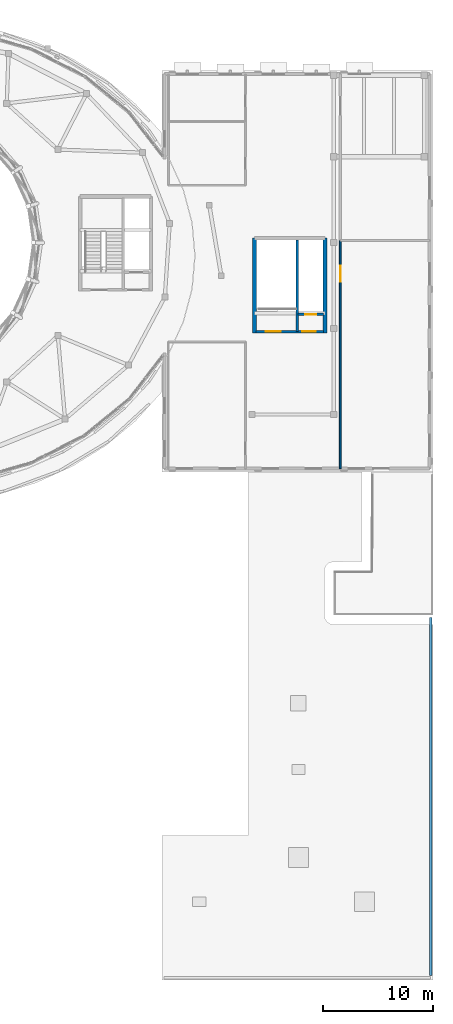
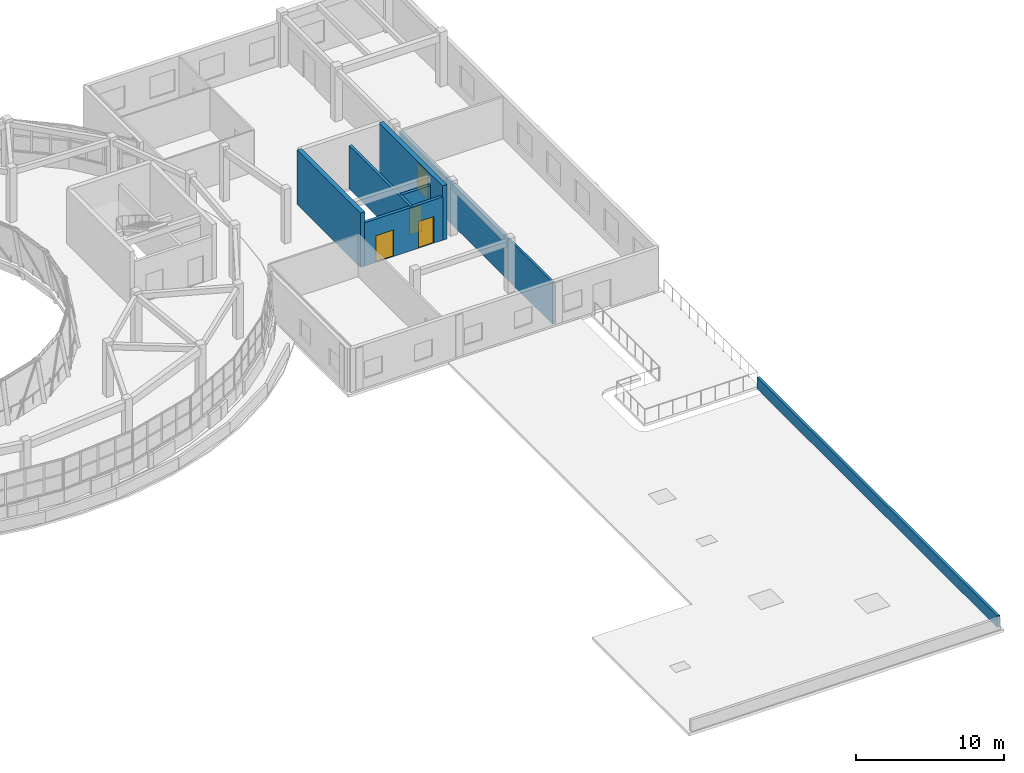
# One storey, part 36 of 46: 7 walls, 4 doors, 4 openings.
"""IFC4 building model written with IfcOpenShell, lengths in metres."""

import ifcopenshell
import ifcopenshell.guid

model = None  # the IFC model being written
_history = None  # IfcOwnerHistory: only IFC2X3 demands one
_inside = {}  # id of a spatial element -> (the spatial element, [elements in it])
_under = {}  # id of a project, library or spatial element -> (it, [spatial elements below it])
_declared = {}  # id of a project -> (the project, [libraries it declares])
_typed = {}  # id of a type object -> (the type object, [elements of that type])
_made_of = {}  # id of a material, layer set ... -> (it, [elements and type objects made of it])


def new_model(schema):
    """Start an empty IFC model of exactly this schema.

    Asked for "IFC4X3", IfcOpenShell would pick the latest addendum, in which some entities
    have other attributes; the version numbers below select the first issue.
    IFC2X3 requires an IfcOwnerHistory on every rooted entity: one is made here for all.
    """
    global model, _history
    if schema == "IFC4X3":
        model = ifcopenshell.file(schema_version=(4, 3, 0, 0))
    else:
        model = ifcopenshell.file(schema=schema)
    _inside.clear()
    _under.clear()
    _declared.clear()
    _typed.clear()
    _made_of.clear()
    _history = None
    if model.schema == "IFC2X3":
        org = make("IfcOrganization", Name="unknown")
        user = make(
            "IfcPersonAndOrganization",
            ThePerson=make("IfcPerson", FamilyName="unknown"),
            TheOrganization=org,
        )
        app = make(
            "IfcApplication",
            ApplicationDeveloper=org,
            Version="unknown",
            ApplicationFullName="unknown",
            ApplicationIdentifier="unknown",
        )
        _history = make(
            "IfcOwnerHistory",
            OwningUser=user,
            OwningApplication=app,
            ChangeAction="ADDED",
            CreationDate=0,
        )
    return model


def make(cls, **values):
    """One entity of the class cls with the attributes given. An attribute that is None is left unset."""
    return model.create_entity(
        cls, **{name: value for name, value in values.items() if value is not None}
    )


def rooted(cls, **values):
    """An entity with a GlobalId (a new one), such as an element, a storey or a relation."""
    return make(cls, GlobalId=ifcopenshell.guid.new(), OwnerHistory=_history, **values)


def si_unit(unit_type, name, prefix=None):
    """IfcSIUnit, for example si_unit("LENGTHUNIT", "METRE", prefix="MILLI")."""
    return make("IfcSIUnit", UnitType=unit_type, Prefix=prefix, Name=name)


def assignment(units):
    """IfcUnitAssignment: the units of a project."""
    return None if units is None else make("IfcUnitAssignment", Units=units)


def point(xyz):
    """IfcCartesianPoint."""
    return None if xyz is None else make("IfcCartesianPoint", Coordinates=xyz)


def direction(xyz):
    """IfcDirection."""
    return None if xyz is None else make("IfcDirection", DirectionRatios=xyz)


def frame(location, z_axis=None, x_axis=None):
    """IfcAxis2Placement3D, a coordinate frame: its origin and axes. An axis left out is left unset."""
    return make(
        "IfcAxis2Placement3D",
        Location=point(location),
        Axis=direction(z_axis),
        RefDirection=direction(x_axis),
    )


def frame_2d(location, x_axis=None):
    """IfcAxis2Placement2D, a coordinate frame in the plane: its origin and x axis."""
    return make(
        "IfcAxis2Placement2D", Location=point(location), RefDirection=direction(x_axis)
    )


def origin():
    """The frame at (0, 0, 0) with its axes left unset."""
    return frame((0.0, 0.0, 0.0))


def place(relative_to, where):
    """IfcLocalPlacement: puts the frame where relative to a parent placement (None: the world)."""
    return make(
        "IfcLocalPlacement", PlacementRelTo=relative_to, RelativePlacement=where
    )


def context(
    kind, dimensions, precision=None, world=None, true_north=None, identifier=None
):
    """IfcGeometricRepresentationContext, for example the 3D "Model" context."""
    return make(
        "IfcGeometricRepresentationContext",
        ContextIdentifier=identifier,
        ContextType=kind,
        CoordinateSpaceDimension=dimensions,
        Precision=precision,
        WorldCoordinateSystem=world,
        TrueNorth=true_north,
    )


def subcontext(parent, identifier, kind, view, scale=None):
    """IfcGeometricRepresentationSubContext, for example "Body" below "Model"."""
    return make(
        "IfcGeometricRepresentationSubContext",
        ContextIdentifier=identifier,
        ContextType=kind,
        ParentContext=parent,
        TargetScale=scale,
        TargetView=view,
    )


def project(units=None, contexts=None):
    """IfcProject with its units and contexts."""
    return rooted(
        "IfcProject",
        Name="project",
        RepresentationContexts=contexts,
        UnitsInContext=assignment(units),
    )


def spatial(cls, under=None, at=None, **own):
    """A site, building, storey or space (cls), placed at a placement, below another one or the project."""
    s = rooted(cls, ObjectPlacement=at, **own)
    if under is not None:
        _under.setdefault(under.id(), (under, []))[1].append(s)
    return s


def profile(cls, at=None, kind="AREA", **sizes):
    """A parametric profile (cls). Its sizes go by their IFC names, for example OverallWidth=200.0."""
    return make(cls, ProfileType=kind, Position=at, **sizes)


def rectangle(**sizes):
    """IfcRectangleProfileDef."""
    return profile("IfcRectangleProfileDef", **sizes)


def extrude(swept, where, along, depth):
    """IfcExtrudedAreaSolid: the profile swept, set in the frame where, extruded along a direction by depth."""
    return make(
        "IfcExtrudedAreaSolid",
        SweptArea=swept,
        Position=where,
        ExtrudedDirection=direction(along),
        Depth=depth,
    )


def shape(context_of_items, identifier, shape_type, items):
    """IfcShapeRepresentation: the items that make up one representation, for example the "Body"."""
    return make(
        "IfcShapeRepresentation",
        ContextOfItems=context_of_items,
        RepresentationIdentifier=identifier,
        RepresentationType=shape_type,
        Items=items,
    )


def material(Name=None, Category=None):
    """IfcMaterial."""
    return make("IfcMaterial", Name=Name, Category=Category)


def layer(
    of_material, thickness, ventilated=None, Name=None, Category=None, Priority=None
):
    """IfcMaterialLayer: one layer of a wall or slab, of a material (None: an air gap)."""
    return make(
        "IfcMaterialLayer",
        Material=of_material,
        LayerThickness=thickness,
        IsVentilated=ventilated,
        Name=Name,
        Category=Category,
        Priority=Priority,
    )


def layer_set(layers, Name=None):
    """IfcMaterialLayerSet."""
    return make("IfcMaterialLayerSet", MaterialLayers=layers, LayerSetName=Name)


def made_of(thing, what):
    """Note that an element or type object is made of a material, layer set ...; save() writes the relation."""
    if what is not None:
        _made_of.setdefault(what.id(), (what, []))[1].append(thing)
    return thing


def type_object(cls, material=None, **own):
    """A type object (cls), such as IfcWallType, which elements share."""
    return made_of(rooted(cls, **own), material)


def element(
    cls,
    number,
    at=None,
    inside=None,
    cuts=None,
    type_object=None,
    material=None,
    context=None,
    identifier="Body",
    shape_type=None,
    held_by="IfcProductDefinitionShape",
    body=None,
    shapes=None,
    **own,
):
    """One element of the class cls, such as IfcWall. Its Tag is "e" and its number.

    at: its placement. inside: the storey or other place that contains it. cuts: it is an
    opening in that element (IfcRelVoidsElement). A single representation is given by context,
    identifier, shape_type and body (its items); several are given by shapes. held_by: the class
    of the entity that holds the representations. save() writes the other relations.
    """
    e = rooted(cls, Tag="e%d" % number, ObjectPlacement=at, **own)
    if body is not None:
        shapes = [shape(context, identifier, shape_type, body)]
    if shapes is not None:
        e.Representation = make(held_by, Representations=shapes)
    if inside is not None:
        _inside.setdefault(inside.id(), (inside, []))[1].append(e)
    if cuts is not None:
        rooted(
            "IfcRelVoidsElement", RelatingBuildingElement=cuts, RelatedOpeningElement=e
        )
    if type_object is not None:
        _typed.setdefault(type_object.id(), (type_object, []))[1].append(e)
    return made_of(e, material)


def fill(opening, filler):
    """IfcRelFillsElement: the door or window that sits in an opening."""
    return rooted(
        "IfcRelFillsElement",
        RelatingOpeningElement=opening,
        RelatedBuildingElement=filler,
    )


def aggregate(whole, parts):
    """IfcRelAggregates: a whole, such as a stair, and the parts it consists of."""
    return rooted("IfcRelAggregates", RelatingObject=whole, RelatedObjects=parts)


def save(model, path):
    """Write the relations noted so far, then the file.

    IfcRelAggregates (storeys below a building ...), IfcRelContainedInSpatialStructure (elements
    in a storey), IfcRelDefinesByType, IfcRelAssociatesMaterial and IfcRelDeclares: one each for
    every whole, place, type object, material and project.
    """
    for whole, parts in _under.values():
        aggregate(whole, parts)
    for where, things in _inside.values():
        rooted(
            "IfcRelContainedInSpatialStructure",
            RelatedElements=things,
            RelatingStructure=where,
        )
    for kind, things in _typed.values():
        rooted("IfcRelDefinesByType", RelatedObjects=things, RelatingType=kind)
    for what, things in _made_of.values():
        rooted("IfcRelAssociatesMaterial", RelatedObjects=things, RelatingMaterial=what)
    for by, libraries in _declared.values():
        rooted("IfcRelDeclares", RelatingContext=by, RelatedDefinitions=libraries)
    model.write(path)


model = new_model("IFC4")

# Units and contexts
model_context = context("Model", 3, precision=1e-05, world=origin(), true_north=direction((0.0, 1.0)))
body_context = subcontext(model_context, "Body", "Model", "MODEL_VIEW")
ifc_project = project(units=[si_unit("LENGTHUNIT", "METRE"), si_unit("AREAUNIT", "SQUARE_METRE"), si_unit("VOLUMEUNIT", "CUBIC_METRE"), si_unit("PLANEANGLEUNIT", "RADIAN"), si_unit("MASSUNIT", "GRAM", prefix="KILO")], contexts=[model_context])

# Site, building, storey
site_placement = place(None, origin())
site = spatial("IfcSite", under=ifc_project, at=site_placement, CompositionType="ELEMENT")
building_placement = place(site_placement, origin())
building = spatial("IfcBuilding", under=site, at=building_placement, Name="Pelvatis Terrace Science Centre", CompositionType="ELEMENT")
storey_placement = place(building_placement, frame((0.0, 0.0, 19.800048828125)))
storey = spatial("IfcBuildingStorey", under=building, at=storey_placement, Name="L04", CompositionType="ELEMENT", Elevation=19.800048828125)

# Wall
ifc_material_1 = material(Name="Concrete C35/45 shaft dividing wall", Category="concrete")
ifc_layer_1 = layer(ifc_material_1, 0.2099609375)
ifc_layer_set_1 = layer_set([ifc_layer_1], Name="Concrete C35/45 shaft dividing wall")
wall_type_1 = type_object("IfcWallType", Name="WL-INT-CORE-210", PredefinedType="PARTITIONING", material=ifc_layer_set_1)
wall_1_placement = place(storey_placement, frame((144.89990234375, 77.75, 0.0), z_axis=(0.0, 0.0, 1.0), x_axis=(0.0, 1.0, 0.0)))
element("IfcWall", 1, at=wall_1_placement, inside=storey, type_object=wall_type_1, Name="Core C3 stair-lift shaft fire wall (L04)", PredefinedType="PARTITIONING", context=body_context, shape_type="SweptSolid", body=[
    extrude(rectangle(XDim=8.300048828125, YDim=0.2099609375, at=frame_2d((4.14990234375, 0.0))), origin(), (0.0, 0.0, 1.0), 3.570068359375),
])

# Wall, opening, door
ifc_material_2 = material(Name="Concrete C35/45 stair enclosure wall", Category="concrete")
ifc_layer_2 = layer(ifc_material_2, 0.22509765625)
ifc_layer_set_2 = layer_set([ifc_layer_2], Name="Concrete C35/45 stair enclosure wall")
wall_type_2 = type_object("IfcWallType", Name="WL-INT-CORE-225", PredefinedType="PARTITIONING", material=ifc_layer_set_2)
wall_2_placement = place(storey_placement, frame((144.949951171875, 79.300048828125, 0.0), z_axis=(0.0, 0.0, 1.0), x_axis=(1.0, 0.0, 0.0)))
wall_2 = element("IfcWall", 2, at=wall_2_placement, inside=storey, type_object=wall_type_2, Name="Core C3 lift shaft landing wall (L04)", PredefinedType="PARTITIONING", context=body_context, shape_type="SweptSolid", body=[
    extrude(rectangle(XDim=2.300048828125, YDim=0.22509765625, at=frame_2d((1.14990234375, 0.0))), origin(), (0.0, 0.0, 1.0), 3.570068359375),
])
opening_1_placement = place(wall_2_placement, frame((0.64990234375, 0.0, 0.0)))
opening_1 = element("IfcOpeningElement", 3, at=opening_1_placement, cuts=wall_2, Name="Opening LD-C3-6", PredefinedType="OPENING", context=body_context, shape_type="SweptSolid", body=[
    extrude(rectangle(XDim=1.0, YDim=2.14990234375, at=frame_2d((0.5, 1.074951171875))), frame((0.0, 0.12255859375, 0.0), z_axis=(0.0, -1.0, 0.0), x_axis=(1.0, 0.0, 0.0)), (0.0, 0.0, 1.0), 0.2451171875),
])
ifc_material_3 = material(Name="Bronze-clad sliding passenger lift landing door", Category="steel")
door_type_1 = type_object("IfcDoorType", Name="DR-LIFT-1000x2150", OperationType="NOTDEFINED", PredefinedType="DOOR", material=ifc_material_3)
door_1_placement = place(opening_1_placement, origin())
door_1 = element("IfcDoor", 4, at=door_1_placement, inside=storey, type_object=door_type_1, Name="Lift LF-05 sliding landing door (L04)", OperationType="SLIDING_TO_RIGHT", OverallHeight=2.14990234375, OverallWidth=1.0, PredefinedType="DOOR", context=body_context, shape_type="SweptSolid", body=[
    extrude(rectangle(XDim=1.0, YDim=2.14990234375, at=frame_2d((0.5, 1.074951171875))), frame((0.0, 0.02490234375, 0.0), z_axis=(0.0, -1.0, 0.0), x_axis=(1.0, 0.0, 0.0)), (0.0, 0.0, 1.0), 0.050048828125),
])
fill(opening_1, door_1)

# Wall, openings, doors
ifc_material_4 = material(Name="Concrete C35/45 shaft enclosure wall", Category="concrete")
ifc_layer_3 = layer(ifc_material_4, 0.239990234375)
ifc_layer_set_3 = layer_set([ifc_layer_3], Name="Concrete C35/45 shaft enclosure wall")
wall_type_3 = type_object("IfcWallType", Name="WL-INT-CORE-240", PredefinedType="PARTITIONING", material=ifc_layer_set_3)
wall_3_placement = place(storey_placement, frame((141.14990234375, 77.719970703125, 0.0), z_axis=(0.0, 0.0, 1.0), x_axis=(1.0, 0.0, 0.0)))
wall_3 = element("IfcWall", 5, at=wall_3_placement, inside=storey, type_object=wall_type_3, Name="Core C3 fire-rated lobby wall (L04)", PredefinedType="PARTITIONING", context=body_context, shape_type="SweptSolid", body=[
    extrude(rectangle(XDim=6.10009765625, YDim=0.239990234375, at=frame_2d((3.050048828125, 0.0))), origin(), (0.0, 0.0, 1.0), 3.570068359375),
])
opening_2_placement = place(wall_3_placement, frame((0.89990234375, 0.0, 0.0)))
opening_2 = element("IfcOpeningElement", 6, at=opening_2_placement, cuts=wall_3, Name="Opening D-139", PredefinedType="OPENING", context=body_context, shape_type="SweptSolid", body=[
    extrude(rectangle(XDim=1.35009765625, YDim=2.199951171875, at=frame_2d((0.675048828125, 1.10009765625))), frame((0.0, 0.1298828125, 0.0), z_axis=(0.0, -1.0, 0.0), x_axis=(1.0, 0.0, 0.0)), (0.0, 0.0, 1.0), 0.260009765625),
])
opening_3_placement = place(wall_3_placement, frame((4.199951171875, 0.0, 0.0)))
opening_3 = element("IfcOpeningElement", 7, at=opening_3_placement, cuts=wall_3, Name="Opening D-140", PredefinedType="OPENING", context=body_context, shape_type="SweptSolid", body=[
    extrude(rectangle(XDim=1.199951171875, YDim=2.199951171875, at=frame_2d((0.60009765625, 1.10009765625))), frame((0.0, 0.1298828125, 0.0), z_axis=(0.0, -1.0, 0.0), x_axis=(1.0, 0.0, 0.0)), (0.0, 0.0, 1.0), 0.260009765625),
])
ifc_material_5 = material(Name="Steel fire-rated exit stair door", Category="steel")
door_type_2 = type_object("IfcDoorType", Name="DR-STAIR-1200x2200", OperationType="NOTDEFINED", PredefinedType="DOOR", material=ifc_material_5)
door_2_placement = place(opening_3_placement, origin())
door_2 = element("IfcDoor", 8, at=door_2_placement, inside=storey, type_object=door_type_2, Name="Core C3 lift lobby fire door (L04)", OperationType="SINGLE_SWING_LEFT", OverallHeight=2.199951171875, OverallWidth=1.199951171875, PredefinedType="DOOR", context=body_context, shape_type="SweptSolid", body=[
    extrude(rectangle(XDim=1.199951171875, YDim=2.199951171875, at=frame_2d((0.60009765625, 1.10009765625))), frame((0.0, 0.02490234375, 0.0), z_axis=(0.0, -1.0, 0.0), x_axis=(1.0, 0.0, 0.0)), (0.0, 0.0, 1.0), 0.050048828125),
])
fill(opening_3, door_2)
ifc_material_6 = material(Name="Steel fire-rated protected stair door", Category="steel")
door_type_3 = type_object("IfcDoorType", Name="DR-STAIR-1350x2200", OperationType="NOTDEFINED", PredefinedType="DOOR", material=ifc_material_6)
door_3_placement = place(opening_2_placement, origin())
door_3 = element("IfcDoor", 9, at=door_3_placement, inside=storey, type_object=door_type_3, Name="Core C3 protected stair fire door (L04)", OperationType="SINGLE_SWING_RIGHT", OverallHeight=2.199951171875, OverallWidth=1.35009765625, PredefinedType="DOOR", context=body_context, shape_type="SweptSolid", body=[
    extrude(rectangle(XDim=1.35009765625, YDim=2.199951171875, at=frame_2d((0.675048828125, 1.10009765625))), frame((0.0, 0.02490234375, 0.0), z_axis=(0.0, -1.0, 0.0), x_axis=(1.0, 0.0, 0.0)), (0.0, 0.0, 1.0), 0.050048828125),
])
fill(opening_2, door_3)

# Wall, opening, door
ifc_material_7 = material(Name="Dry studio acoustic partition", Category="masonry")
ifc_layer_4 = layer(ifc_material_7, 0.1650390625)
ifc_layer_set_4 = layer_set([ifc_layer_4], Name="Dry studio acoustic partition")
wall_type_4 = type_object("IfcWallType", Name="WL-INT-LAB-165", PredefinedType="PARTITIONING", material=ifc_layer_set_4)
wall_4_placement = place(storey_placement, frame((148.800048828125, 86.0, 0.0), z_axis=(0.0, 0.0, 1.0), x_axis=(0.0, -1.0, 0.0)))
wall_4 = element("IfcWall", 10, at=wall_4_placement, inside=storey, type_object=wall_type_4, Name="Digital Dome Production and Fulldome Rendering Studio partition wall W", PredefinedType="PARTITIONING", context=body_context, shape_type="SweptSolid", body=[
    extrude(rectangle(XDim=20.699951171875, YDim=0.1650390625, at=frame_2d((10.35009765625, 0.0))), origin(), (0.0, 0.0, 1.0), 3.449951171875),
])
opening_4_placement = place(wall_4_placement, frame((2.304931640625, 0.0, 0.0)))
opening_4 = element("IfcOpeningElement", 11, at=opening_4_placement, cuts=wall_4, Name="Opening D-218", PredefinedType="OPENING", context=body_context, shape_type="SweptSolid", body=[
    extrude(rectangle(XDim=1.449951171875, YDim=2.199951171875, at=frame_2d((0.72509765625, 1.10009765625))), frame((0.0, 0.092529296875, 0.0), z_axis=(0.0, -1.0, 0.0), x_axis=(1.0, 0.0, 0.0)), (0.0, 0.0, 1.0), 0.18505859375),
])
ifc_material_8 = material(Name="Leaf-and-a-half dry studio door", Category="wood")
door_type_4 = type_object("IfcDoorType", Name="DR-LAB-1450x2200", OperationType="NOTDEFINED", PredefinedType="DOOR", material=ifc_material_8)
door_4_placement = place(opening_4_placement, origin())
door_4 = element("IfcDoor", 12, at=door_4_placement, inside=storey, type_object=door_type_4, Name="Digital Dome Production and Fulldome Rendering Studio entrance door", OperationType="SINGLE_SWING_LEFT", OverallHeight=2.199951171875, OverallWidth=1.449951171875, PredefinedType="DOOR", context=body_context, shape_type="SweptSolid", body=[
    extrude(rectangle(XDim=1.449951171875, YDim=2.199951171875, at=frame_2d((0.72509765625, 1.10009765625))), frame((0.0, 0.02490234375, 0.0), z_axis=(0.0, -1.0, 0.0), x_axis=(1.0, 0.0, 0.0)), (0.0, 0.0, 1.0), 0.050048828125),
])
fill(opening_4, door_4)

# Walls
ifc_material_9 = material(Name="White architectural precast concrete C40/50 spandrel parapet", Category="concrete")
ifc_layer_5 = layer(ifc_material_9, 0.205078125)
ifc_layer_set_5 = layer_set([ifc_layer_5], Name="White architectural precast concrete C40/50 spandrel parapet")
wall_type_5 = type_object("IfcWallType", Name="WL-PAR-205", PredefinedType="PARAPET", material=ifc_layer_set_5)
wall_5_placement = place(storey_placement, frame((157.0, 19.300048828125, 0.0), z_axis=(0.0, 0.0, 1.0), x_axis=(0.0, 1.0, 0.0)))
element("IfcWall", 13, at=wall_5_placement, inside=storey, type_object=wall_type_5, Name="Classical cornice parapet PW-L04-2", PredefinedType="PARAPET", context=body_context, shape_type="SweptSolid", body=[
    extrude(rectangle(XDim=32.5, YDim=0.205078125, at=frame_2d((16.25, 0.0))), origin(), (0.0, 0.0, 1.0), 0.949951171875),
])
ifc_material_10 = material(Name="Concrete C40/50", Category="concrete")
ifc_layer_6 = layer(ifc_material_10, 0.35009765625)
ifc_layer_set_6 = layer_set([ifc_layer_6], Name="Concrete C40/50")
wall_type_6 = type_object("IfcWallType", Name="WL-SHR-350", PredefinedType="SHEAR", material=ifc_layer_set_6)
for number, where, z_axis, x_axis, name in (
    (14, (141.0, 77.60009765625, 0.0), (0.0, 0.0, 1.0), (0.0, 1.0, 0.0), "Core C3 shear wall W (L04)"),
    (15, (147.39990234375, 77.60009765625, 0.0), (0.0, 0.0, 1.0), (0.0, 1.0, 0.0), "Core C3 shear wall E (L04)"),
):
    element("IfcWall", number, at=place(storey_placement, frame(where, z_axis=z_axis, x_axis=x_axis)), inside=storey, type_object=wall_type_6, Name=name, PredefinedType="SHEAR", context=body_context, shape_type="SweptSolid", body=[
        extrude(rectangle(XDim=8.599853515625, YDim=0.35009765625, at=frame_2d((4.2998046875, 0.0))), origin(), (0.0, 0.0, 1.0), 4.5),
    ])

save(model, "model.ifc")
